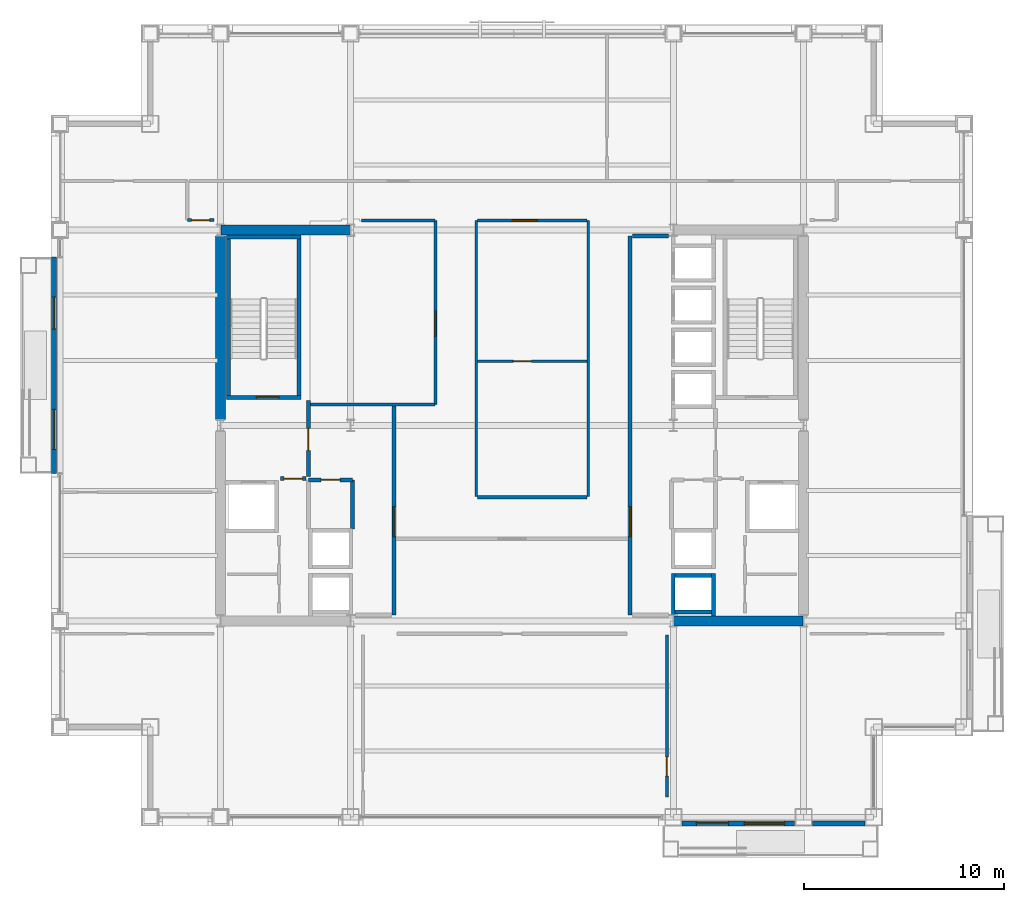
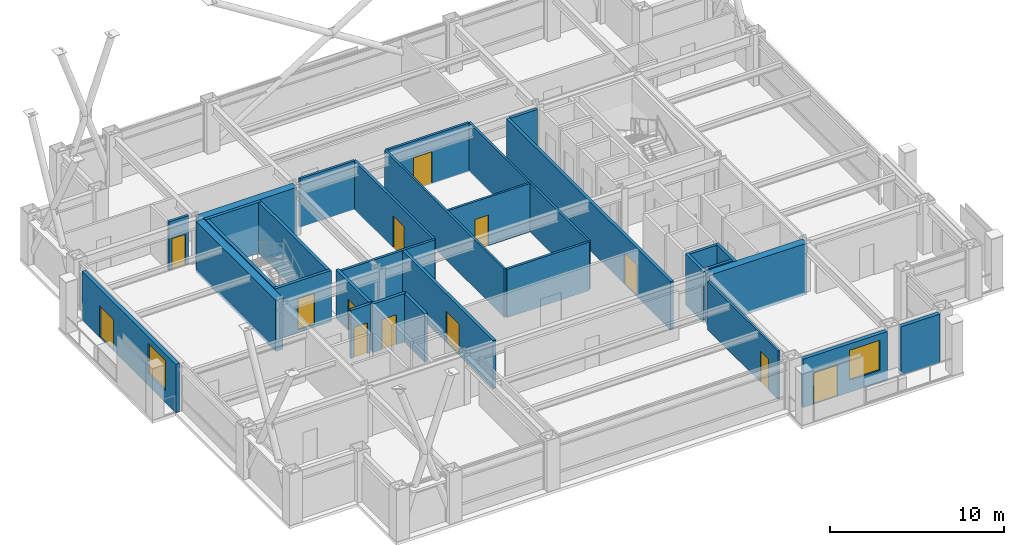
# One storey, part 29 of 34: 31 walls, 13 doors, 2 windows, 15 openings.
"""IFC4 building model written with IfcOpenShell, lengths in metres."""

from ifc_helpers import new_model, si_unit, direction, frame, frame_2d, origin, place, context, subcontext, project, spatial, rectangle, extrude, material, layer, layer_set, type_object, element, fill, save


model = new_model("IFC4")

# Units and contexts
model_context = context("Model", 3, precision=1e-05, world=origin(), true_north=direction((0.0, 1.0)))
body_context = subcontext(model_context, "Body", "Model", "MODEL_VIEW")
ifc_project = project(units=[si_unit("LENGTHUNIT", "METRE"), si_unit("AREAUNIT", "SQUARE_METRE"), si_unit("VOLUMEUNIT", "CUBIC_METRE"), si_unit("PLANEANGLEUNIT", "RADIAN"), si_unit("MASSUNIT", "GRAM", prefix="KILO")], contexts=[model_context])

# Site, building, storey
site_placement = place(None, origin())
site = spatial("IfcSite", under=ifc_project, at=site_placement, CompositionType="ELEMENT")
building_placement = place(site_placement, origin())
building = spatial("IfcBuilding", under=site, at=building_placement, Name="Brelmoor Portico Tower", CompositionType="ELEMENT")
storey_placement = place(building_placement, frame((0.0, 0.0, 99.0)))
storey = spatial("IfcBuildingStorey", under=building, at=storey_placement, Name="L25", CompositionType="ELEMENT", Elevation=99.0)

# Walls
ifc_material_1 = material(Name="Concrete C60", Category="concrete")
ifc_layer_1 = layer(ifc_material_1, 0.5)
ifc_layer_set_1 = layer_set([ifc_layer_1], Name="Concrete C60")
wall_type_1 = type_object("IfcWallType", Name="WL-CORE-500", PredefinedType="SHEAR", material=ifc_layer_set_1)
wall_1_placement = place(storey_placement, frame((-14.530029296875, 9.75, -0.199951171875), z_axis=(0.0, 0.0, 1.0), x_axis=(1.0, 0.0, 0.0)))
element("IfcWall", 1, at=wall_1_placement, inside=storey, type_object=wall_type_1, Name="L25 WC North Shear Wall", PredefinedType="SHEAR", context=body_context, shape_type="SweptSolid", body=[
    extrude(rectangle(XDim=6.4599609375, YDim=0.5, at=frame_2d((3.22998046875, 0.0))), origin(), (0.0, 0.0, 1.0), 3.599853515625),
])
wall_2_placement = place(storey_placement, frame((-14.550048828125, 0.300048828125, -0.199951171875), z_axis=(0.0, 0.0, 1.0), x_axis=(0.0, 1.0, 0.0)))
element("IfcWall", 2, at=wall_2_placement, inside=storey, type_object=wall_type_1, Name="L25 WC Outer North Shear Wall", PredefinedType="SHEAR", context=body_context, shape_type="SweptSolid", body=[
    extrude(rectangle(XDim=9.14990234375, YDim=0.5, at=frame_2d((4.574951171875, 0.0))), origin(), (0.0, 0.0, 1.0), 3.599853515625),
])
wall_3_placement = place(storey_placement, frame((8.070068359375, -9.75, -0.199951171875), z_axis=(0.0, 0.0, 1.0), x_axis=(1.0, 0.0, 0.0)))
element("IfcWall", 3, at=wall_3_placement, inside=storey, type_object=wall_type_1, Name="L25 EC South Shear Wall", PredefinedType="SHEAR", context=body_context, shape_type="SweptSolid", body=[
    extrude(rectangle(XDim=6.4599609375, YDim=0.5, at=frame_2d((3.22998046875, 0.0))), origin(), (0.0, 0.0, 1.0), 3.599853515625),
])

# Wall, openings, door, window
ifc_material_2 = material(Name="Precast Concrete C40 Insulated Facade Wall", Category="concrete")
ifc_layer_2 = layer(ifc_material_2, 0.25)
ifc_layer_set_2 = layer_set([ifc_layer_2], Name="Precast Concrete C40 Insulated Facade Wall")
wall_type_2 = type_object("IfcWallType", Name="WL-EXT-250", PredefinedType="STANDARD", material=ifc_layer_set_2)
wall_4_placement = place(storey_placement, frame((8.4951171875, -19.860107421875, 0.0), z_axis=(0.0, 0.0, 1.0), x_axis=(1.0, 0.0, 0.0)))
wall_4 = element("IfcWall", 4, at=wall_4_placement, inside=storey, type_object=wall_type_2, Name="L25 Loggia Threshold Wall S-1", PredefinedType="STANDARD", context=body_context, shape_type="SweptSolid", body=[
    extrude(rectangle(XDim=5.60986328125, YDim=0.25, at=frame_2d((2.804931640625, 0.0))), origin(), (0.0, 0.0, 1.0), 3.39990234375),
])
opening_1_placement = place(wall_4_placement, frame((0.705078125, 0.0, 0.0)))
opening_1 = element("IfcOpeningElement", 5, at=opening_1_placement, cuts=wall_4, Name="Opening D-TB1", PredefinedType="OPENING", context=body_context, shape_type="SweptSolid", body=[
    extrude(rectangle(XDim=1.60009765625, YDim=2.199951171875, at=frame_2d((0.800048828125, 1.10009765625))), frame((0.0, 0.135009765625, 0.0), z_axis=(0.0, -1.0, 0.0), x_axis=(1.0, 0.0, 0.0)), (0.0, 0.0, 1.0), 0.27001953125),
])
opening_2_placement = place(wall_4_placement, frame((3.10498046875, 0.0, 0.85009765625)))
opening_2 = element("IfcOpeningElement", 6, at=opening_2_placement, cuts=wall_4, Name="Opening W-03", PredefinedType="OPENING", context=body_context, shape_type="SweptSolid", body=[
    extrude(rectangle(XDim=2.0, YDim=2.10009765625, at=frame_2d((1.0, 1.050048828125))), frame((0.0, 0.135009765625, 0.0), z_axis=(0.0, -1.0, 0.0), x_axis=(1.0, 0.0, 0.0)), (0.0, 0.0, 1.0), 0.27001953125),
])
ifc_material_3 = material(Name="Double-Leaf Thermally Broken Terrace Door", Category="aluminium")
door_type_1 = type_object("IfcDoorType", Name="DR-BALCONY-1600", OperationType="NOTDEFINED", PredefinedType="DOOR", material=ifc_material_3)
door_1_placement = place(opening_1_placement, origin())
door_1 = element("IfcDoor", 7, at=door_1_placement, inside=storey, type_object=door_type_1, Name="D-1121 L25 Tree Balcony Double Door S", OperationType="DOUBLE_DOOR_SINGLE_SWING", OverallHeight=2.199951171875, OverallWidth=1.60009765625, PredefinedType="DOOR", context=body_context, shape_type="SweptSolid", body=[
    extrude(rectangle(XDim=1.60009765625, YDim=2.199951171875, at=frame_2d((0.800048828125, 1.10009765625))), frame((0.0, 0.02490234375, 0.0), z_axis=(0.0, -1.0, 0.0), x_axis=(1.0, 0.0, 0.0)), (0.0, 0.0, 1.0), 0.050048828125),
])
fill(opening_1, door_1)
ifc_material_4 = material(Name="Thermally Broken Aluminium Low-E Window", Category="aluminium")
window_type = type_object("IfcWindowType", Name="WN-LOGGIA-2000x2100", PartitioningType="SINGLE_PANEL", PredefinedType="WINDOW", material=ifc_material_4)
window_1_placement = place(opening_2_placement, origin())
window_1 = element("IfcWindow", 8, at=window_1_placement, inside=storey, type_object=window_type, Name="L25 Loggia Window S", OverallHeight=2.10009765625, OverallWidth=2.0, PartitioningType="SINGLE_PANEL", PredefinedType="WINDOW", context=body_context, shape_type="SweptSolid", body=[
    extrude(rectangle(XDim=2.0, YDim=2.10009765625, at=frame_2d((1.0, 1.050048828125))), frame((0.0, 0.030029296875, 0.0), z_axis=(0.0, -1.0, 0.0), x_axis=(1.0, 0.0, 0.0)), (0.0, 0.0, 1.0), 0.06005859375),
])
fill(opening_2, window_1)

# Wall
wall_5_placement = place(storey_placement, frame((14.9951171875, -19.860107421875, 0.0), z_axis=(0.0, 0.0, 1.0), x_axis=(1.0, 0.0, 0.0)))
element("IfcWall", 9, at=wall_5_placement, inside=storey, type_object=wall_type_2, Name="L25 Loggia Threshold Wall S-2", PredefinedType="STANDARD", context=body_context, shape_type="SweptSolid", body=[
    extrude(rectangle(XDim=2.60986328125, YDim=0.25, at=frame_2d((1.304931640625, 0.0))), origin(), (0.0, 0.0, 1.0), 3.39990234375),
])

# Wall, openings, door, window
wall_6_placement = place(storey_placement, frame((-22.860107421875, -2.39990234375, 0.0), z_axis=(0.0, 0.0, 1.0), x_axis=(0.0, 1.0, 0.0)))
wall_6 = element("IfcWall", 10, at=wall_6_placement, inside=storey, type_object=wall_type_2, Name="L25 Loggia Threshold Wall W-1", PredefinedType="STANDARD", context=body_context, shape_type="SweptSolid", body=[
    extrude(rectangle(XDim=10.7998046875, YDim=0.25, at=frame_2d((5.39990234375, 0.0))), origin(), (0.0, 0.0, 1.0), 3.39990234375),
])
opening_3_placement = place(wall_6_placement, frame((7.199951171875, 0.0, 0.0)))
opening_3 = element("IfcOpeningElement", 11, at=opening_3_placement, cuts=wall_6, Name="Opening D-TB1", PredefinedType="OPENING", context=body_context, shape_type="SweptSolid", body=[
    extrude(rectangle(XDim=1.60009765625, YDim=2.199951171875, at=frame_2d((0.800048828125, 1.10009765625))), frame((0.0, 0.135009765625, 0.0), z_axis=(0.0, -1.0, 0.0), x_axis=(1.0, 0.0, 0.0)), (0.0, 0.0, 1.0), 0.27001953125),
])
opening_4_placement = place(wall_6_placement, frame((1.199951171875, 0.0, 0.85009765625)))
opening_4 = element("IfcOpeningElement", 12, at=opening_4_placement, cuts=wall_6, Name="Opening W-03", PredefinedType="OPENING", context=body_context, shape_type="SweptSolid", body=[
    extrude(rectangle(XDim=2.0, YDim=2.10009765625, at=frame_2d((1.0, 1.050048828125))), frame((0.0, 0.135009765625, 0.0), z_axis=(0.0, -1.0, 0.0), x_axis=(1.0, 0.0, 0.0)), (0.0, 0.0, 1.0), 0.27001953125),
])
door_2_placement = place(opening_3_placement, origin())
door_2 = element("IfcDoor", 13, at=door_2_placement, inside=storey, type_object=door_type_1, Name="D-1122 L25 Tree Balcony Double Door W", OperationType="DOUBLE_DOOR_SINGLE_SWING", OverallHeight=2.199951171875, OverallWidth=1.60009765625, PredefinedType="DOOR", context=body_context, shape_type="SweptSolid", body=[
    extrude(rectangle(XDim=1.60009765625, YDim=2.199951171875, at=frame_2d((0.800048828125, 1.10009765625))), frame((0.0, 0.02490234375, 0.0), z_axis=(0.0, -1.0, 0.0), x_axis=(1.0, 0.0, 0.0)), (0.0, 0.0, 1.0), 0.050048828125),
])
fill(opening_3, door_2)
window_2_placement = place(opening_4_placement, origin())
window_2 = element("IfcWindow", 14, at=window_2_placement, inside=storey, type_object=window_type, Name="L25 Loggia Window W", OverallHeight=2.10009765625, OverallWidth=2.0, PartitioningType="SINGLE_PANEL", PredefinedType="WINDOW", context=body_context, shape_type="SweptSolid", body=[
    extrude(rectangle(XDim=2.0, YDim=2.10009765625, at=frame_2d((1.0, 1.050048828125))), frame((0.0, 0.030029296875, 0.0), z_axis=(0.0, -1.0, 0.0), x_axis=(1.0, 0.0, 0.0)), (0.0, 0.0, 1.0), 0.06005859375),
])
fill(opening_4, window_2)

# Walls
ifc_material_5 = material(Name="Insulated Stud Suite Partition", Category="gypsum")
ifc_layer_3 = layer(ifc_material_5, 0.139892578125)
ifc_layer_set_3 = layer_set([ifc_layer_3], Name="Insulated Stud Suite Partition")
wall_type_3 = type_object("IfcWallType", Name="WL-PART-140", PredefinedType="PARTITIONING", material=ifc_layer_set_3)
for number, where, z_axis, x_axis, name in (
    (15, (-1.780029296875, -3.550048828125, 0.0), (0.0, 0.0, 1.0), (0.0, 1.0, 0.0), "L25 Central Studio West Wall"),
    (16, (3.800048828125, -3.550048828125, 0.0), (0.0, 0.0, 1.0), (0.0, 1.0, 0.0), "L25 Central Studio East Wall"),
):
    element("IfcWall", number, at=place(storey_placement, frame(where, z_axis=z_axis, x_axis=x_axis)), inside=storey, type_object=wall_type_3, Name=name, PredefinedType="PARTITIONING", context=body_context, shape_type="SweptSolid", body=[
        extrude(rectangle(XDim=13.77001953125, YDim=0.139892578125, at=frame_2d((6.885009765625, 0.0))), origin(), (0.0, 0.0, 1.0), 3.39990234375),
    ])

# Wall, opening, door
wall_7_placement = place(storey_placement, frame((-1.72998046875, 3.199951171875, 0.0), z_axis=(0.0, 0.0, 1.0), x_axis=(1.0, 0.0, 0.0)))
wall_7 = element("IfcWall", 17, at=wall_7_placement, inside=storey, type_object=wall_type_3, Name="L25 Central Pantry Divider", PredefinedType="PARTITIONING", context=body_context, shape_type="SweptSolid", body=[
    extrude(rectangle(XDim=5.47998046875, YDim=0.139892578125, at=frame_2d((2.739990234375, 0.0))), origin(), (0.0, 0.0, 1.0), 3.39990234375),
])
opening_5_placement = place(wall_7_placement, frame((1.800048828125, 0.0, 0.0)))
opening_5 = element("IfcOpeningElement", 18, at=opening_5_placement, cuts=wall_7, Name="Opening D-IN1", PredefinedType="OPENING", context=body_context, shape_type="SweptSolid", body=[
    extrude(rectangle(XDim=0.89990234375, YDim=2.14990234375, at=frame_2d((0.449951171875, 1.074951171875))), frame((0.0, 0.079833984375, 0.0), z_axis=(0.0, -1.0, 0.0), x_axis=(1.0, 0.0, 0.0)), (0.0, 0.0, 1.0), 0.159912109375),
])
ifc_material_6 = material(Name="Lacquered Timber Suite Door", Category="wood")
door_type_2 = type_object("IfcDoorType", Name="DR-INT-900", OperationType="NOTDEFINED", PredefinedType="DOOR", material=ifc_material_6)
door_3_placement = place(opening_5_placement, origin())
door_3 = element("IfcDoor", 19, at=door_3_placement, inside=storey, type_object=door_type_2, Name="D-1093 L25 Central Pantry Connecting Door", OperationType="SINGLE_SWING_LEFT", OverallHeight=2.14990234375, OverallWidth=0.89990234375, PredefinedType="DOOR", context=body_context, shape_type="SweptSolid", body=[
    extrude(rectangle(XDim=0.89990234375, YDim=2.14990234375, at=frame_2d((0.449951171875, 1.074951171875))), frame((0.0, 0.02490234375, 0.0), z_axis=(0.0, -1.0, 0.0), x_axis=(1.0, 0.0, 0.0)), (0.0, 0.0, 1.0), 0.050048828125),
])
fill(opening_5, door_3)

wall_8_placement = place(storey_placement, frame((7.72998046875, -18.550048828125, 0.0), z_axis=(0.0, 0.0, 1.0), x_axis=(0.0, 1.0, 0.0)))
wall_8 = element("IfcWall", 20, at=wall_8_placement, inside=storey, type_object=wall_type_3, Name="L25 South Suite Partition 2", PredefinedType="PARTITIONING", context=body_context, shape_type="SweptSolid", body=[
    extrude(rectangle(XDim=8.090087890625, YDim=0.139892578125, at=frame_2d((4.044921875, 0.0))), origin(), (0.0, 0.0, 1.0), 3.39990234375),
])
opening_6_placement = place(wall_8_placement, frame((1.050048828125, 0.0, 0.0)))
opening_6 = element("IfcOpeningElement", 21, at=opening_6_placement, cuts=wall_8, Name="Opening D-IN2", PredefinedType="OPENING", context=body_context, shape_type="SweptSolid", body=[
    extrude(rectangle(XDim=0.9599609375, YDim=2.179931640625, at=frame_2d((0.47998046875, 1.08984375))), frame((0.0, 0.079833984375, 0.0), z_axis=(0.0, -1.0, 0.0), x_axis=(1.0, 0.0, 0.0)), (0.0, 0.0, 1.0), 0.159912109375),
])
door_type_3 = type_object("IfcDoorType", Name="DR-INT-950", OperationType="NOTDEFINED", PredefinedType="DOOR", material=ifc_material_6)
door_4_placement = place(opening_6_placement, origin())
door_4 = element("IfcDoor", 22, at=door_4_placement, inside=storey, type_object=door_type_3, Name="D-1115 L25 South Suite Connecting Door 2", OperationType="SINGLE_SWING_LEFT", OverallHeight=2.179931640625, OverallWidth=0.9599609375, PredefinedType="DOOR", context=body_context, shape_type="SweptSolid", body=[
    extrude(rectangle(XDim=0.9599609375, YDim=2.179931640625, at=frame_2d((0.47998046875, 1.08984375))), frame((0.0, 0.02490234375, 0.0), z_axis=(0.0, -1.0, 0.0), x_axis=(1.0, 0.0, 0.0)), (0.0, 0.0, 1.0), 0.050048828125),
])
fill(opening_6, door_4)

# Wall
ifc_material_7 = material(Name="Twin-Frame Acoustic Partition", Category="gypsum")
ifc_layer_4 = layer(ifc_material_7, 0.159912109375)
ifc_layer_set_4 = layer_set([ifc_layer_4], Name="Twin-Frame Acoustic Partition")
wall_type_4 = type_object("IfcWallType", Name="WL-PART-160", PredefinedType="PARTITIONING", material=ifc_layer_set_4)
wall_9_placement = place(storey_placement, frame((-10.050048828125, 1.050048828125, 0.0), z_axis=(0.0, 0.0, 1.0), x_axis=(1.0, 0.0, 0.0)))
element("IfcWall", 23, at=wall_9_placement, inside=storey, type_object=wall_type_4, Name="L25 Reclaimed West Suite South Wall", PredefinedType="PARTITIONING", context=body_context, shape_type="SweptSolid", body=[
    extrude(rectangle(XDim=6.2099609375, YDim=0.159912109375, at=frame_2d((3.10498046875, 0.0))), origin(), (0.0, 0.0, 1.0), 3.39990234375),
])

# Wall, opening, door
wall_10_placement = place(storey_placement, frame((-3.820068359375, 1.050048828125, 0.0), z_axis=(0.0, 0.0, 1.0), x_axis=(0.0, 1.0, 0.0)))
wall_10 = element("IfcWall", 24, at=wall_10_placement, inside=storey, type_object=wall_type_4, Name="L25 Reclaimed West Suite East Wall", PredefinedType="PARTITIONING", context=body_context, shape_type="SweptSolid", body=[
    extrude(rectangle(XDim=9.169921875, YDim=0.159912109375, at=frame_2d((4.5849609375, 0.0))), origin(), (0.0, 0.0, 1.0), 3.39990234375),
])
opening_7_placement = place(wall_10_placement, frame((3.39990234375, 0.0, 0.0)))
opening_7 = element("IfcOpeningElement", 25, at=opening_7_placement, cuts=wall_10, Name="Opening D-SU1", PredefinedType="OPENING", context=body_context, shape_type="SweptSolid", body=[
    extrude(rectangle(XDim=1.239990234375, YDim=2.239990234375, at=frame_2d((0.6201171875, 1.1201171875))), frame((0.0, 0.08984375, 0.0), z_axis=(0.0, -1.0, 0.0), x_axis=(1.0, 0.0, 0.0)), (0.0, 0.0, 1.0), 0.179931640625),
])
ifc_material_8 = material(Name="Glazed Timber Executive Suite Door", Category="wood")
door_type_4 = type_object("IfcDoorType", Name="DR-SUITE-1200", OperationType="NOTDEFINED", PredefinedType="DOOR", material=ifc_material_8)
door_5_placement = place(opening_7_placement, origin())
door_5 = element("IfcDoor", 26, at=door_5_placement, inside=storey, type_object=door_type_4, Name="D-1112 L25 West Reclaimed Collaboration Office Door", OperationType="SINGLE_SWING_RIGHT", OverallHeight=2.239990234375, OverallWidth=1.239990234375, PredefinedType="DOOR", context=body_context, shape_type="SweptSolid", body=[
    extrude(rectangle(XDim=1.239990234375, YDim=2.239990234375, at=frame_2d((0.6201171875, 1.1201171875))), frame((0.0, 0.02490234375, 0.0), z_axis=(0.0, -1.0, 0.0), x_axis=(1.0, 0.0, 0.0)), (0.0, 0.0, 1.0), 0.050048828125),
])
fill(opening_7, door_5)

# Walls
wall_11_placement = place(storey_placement, frame((-7.5, 10.219970703125, 0.0), z_axis=(0.0, 0.0, 1.0), x_axis=(1.0, 0.0, 0.0)))
element("IfcWall", 27, at=wall_11_placement, inside=storey, type_object=wall_type_4, Name="L25 Reclaimed West Suite North Wall", PredefinedType="PARTITIONING", context=body_context, shape_type="SweptSolid", body=[
    extrude(rectangle(XDim=3.659912109375, YDim=0.159912109375, at=frame_2d((1.830078125, 0.0))), origin(), (0.0, 0.0, 1.0), 3.39990234375),
])
wall_12_placement = place(storey_placement, frame((-1.72998046875, -3.580078125, 0.0), z_axis=(0.0, 0.0, 1.0), x_axis=(1.0, 0.0, 0.0)))
element("IfcWall", 28, at=wall_12_placement, inside=storey, type_object=wall_type_4, Name="L25 Central Studio South Wall", PredefinedType="PARTITIONING", context=body_context, shape_type="SweptSolid", body=[
    extrude(rectangle(XDim=5.47998046875, YDim=0.159912109375, at=frame_2d((2.739990234375, 0.0))), origin(), (0.0, 0.0, 1.0), 3.39990234375),
])

# Wall, opening, door
wall_13_placement = place(storey_placement, frame((-1.72998046875, 10.219970703125, 0.0), z_axis=(0.0, 0.0, 1.0), x_axis=(1.0, 0.0, 0.0)))
wall_13 = element("IfcWall", 29, at=wall_13_placement, inside=storey, type_object=wall_type_4, Name="L25 Central Meeting North Wall", PredefinedType="PARTITIONING", context=body_context, shape_type="SweptSolid", body=[
    extrude(rectangle(XDim=5.47998046875, YDim=0.159912109375, at=frame_2d((2.739990234375, 0.0))), origin(), (0.0, 0.0, 1.0), 3.39990234375),
])
opening_8_placement = place(wall_13_placement, frame((1.75, 0.0, 0.0)))
opening_8 = element("IfcOpeningElement", 30, at=opening_8_placement, cuts=wall_13, Name="Opening D-SU1", PredefinedType="OPENING", context=body_context, shape_type="SweptSolid", body=[
    extrude(rectangle(XDim=1.239990234375, YDim=2.239990234375, at=frame_2d((0.6201171875, 1.1201171875))), frame((0.0, 0.08984375, 0.0), z_axis=(0.0, -1.0, 0.0), x_axis=(1.0, 0.0, 0.0)), (0.0, 0.0, 1.0), 0.179931640625),
])
door_6_placement = place(opening_8_placement, origin())
door_6 = element("IfcDoor", 31, at=door_6_placement, inside=storey, type_object=door_type_4, Name="D-1094 L25 Client Meeting Room Door", OperationType="SINGLE_SWING_RIGHT", OverallHeight=2.239990234375, OverallWidth=1.239990234375, PredefinedType="DOOR", context=body_context, shape_type="SweptSolid", body=[
    extrude(rectangle(XDim=1.239990234375, YDim=2.239990234375, at=frame_2d((0.6201171875, 1.1201171875))), frame((0.0, 0.02490234375, 0.0), z_axis=(0.0, -1.0, 0.0), x_axis=(1.0, 0.0, 0.0)), (0.0, 0.0, 1.0), 0.050048828125),
])
fill(opening_8, door_6)

wall_14_placement = place(storey_placement, frame((-16.199951171875, 10.25, 0.0), z_axis=(0.0, 0.0, 1.0), x_axis=(1.0, 0.0, 0.0)))
wall_14 = element("IfcWall", 32, at=wall_14_placement, inside=storey, type_object=wall_type_4, Name="L25 W Wing North Entry Wall", PredefinedType="PARTITIONING", context=body_context, shape_type="SweptSolid", body=[
    extrude(rectangle(XDim=1.320068359375, YDim=0.159912109375, at=frame_2d((0.66015625, 0.0))), origin(), (0.0, 0.0, 1.0), 3.39990234375),
])
opening_9_placement = place(wall_14_placement, frame((0.2099609375, 0.0, 0.0)))
opening_9 = element("IfcOpeningElement", 33, at=opening_9_placement, cuts=wall_14, Name="Opening D-IN1", PredefinedType="OPENING", context=body_context, shape_type="SweptSolid", body=[
    extrude(rectangle(XDim=0.89990234375, YDim=2.14990234375, at=frame_2d((0.449951171875, 1.074951171875))), frame((0.0, 0.08984375, 0.0), z_axis=(0.0, -1.0, 0.0), x_axis=(1.0, 0.0, 0.0)), (0.0, 0.0, 1.0), 0.179931640625),
])
door_7_placement = place(opening_9_placement, origin())
door_7 = element("IfcDoor", 34, at=door_7_placement, inside=storey, type_object=door_type_2, Name="D-1124 L25 W Wing Entry Door", OperationType="SINGLE_SWING_LEFT", OverallHeight=2.14990234375, OverallWidth=0.89990234375, PredefinedType="DOOR", context=body_context, shape_type="SweptSolid", body=[
    extrude(rectangle(XDim=0.89990234375, YDim=2.14990234375, at=frame_2d((0.449951171875, 1.074951171875))), frame((0.0, 0.02490234375, 0.0), z_axis=(0.0, -1.0, 0.0), x_axis=(1.0, 0.0, 0.0)), (0.0, 0.0, 1.0), 0.050048828125),
])
fill(opening_9, door_7)

ifc_material_9 = material(Name="Double-Stud Gypsum Fire Partition", Category="gypsum")
ifc_layer_5 = layer(ifc_material_9, 0.199951171875)
ifc_layer_set_5 = layer_set([ifc_layer_5], Name="Double-Stud Gypsum Fire Partition")
wall_type_5 = type_object("IfcWallType", Name="WL-PART-200", PredefinedType="PARTITIONING", material=ifc_layer_set_5)
wall_15_placement = place(storey_placement, frame((-5.89990234375, -9.449951171875, 0.0), z_axis=(0.0, 0.0, 1.0), x_axis=(0.0, 1.0, 0.0)))
wall_15 = element("IfcWall", 35, at=wall_15_placement, inside=storey, type_object=wall_type_5, Name="L25 W Core Lobby Compartment Wall", PredefinedType="PARTITIONING", context=body_context, shape_type="SweptSolid", body=[
    extrude(rectangle(XDim=10.5, YDim=0.199951171875, at=frame_2d((5.25, 0.0))), origin(), (0.0, 0.0, 1.0), 3.39990234375),
])
opening_10_placement = place(wall_15_placement, frame((3.89990234375, 0.0, 0.0)))
opening_10 = element("IfcOpeningElement", 36, at=opening_10_placement, cuts=wall_15, Name="Opening D-LB1", PredefinedType="OPENING", context=body_context, shape_type="SweptSolid", body=[
    extrude(rectangle(XDim=1.5, YDim=2.199951171875, at=frame_2d((0.75, 1.10009765625))), frame((0.0, 0.10986328125, 0.0), z_axis=(0.0, -1.0, 0.0), x_axis=(1.0, 0.0, 0.0)), (0.0, 0.0, 1.0), 0.219970703125),
])
ifc_material_10 = material(Name="Double-Leaf Glazed Steel Fire Door", Category="steel")
door_type_5 = type_object("IfcDoorType", Name="DR-LOBBY-1500", OperationType="NOTDEFINED", PredefinedType="DOOR", material=ifc_material_10)
door_8_placement = place(opening_10_placement, origin())
door_8 = element("IfcDoor", 37, at=door_8_placement, inside=storey, type_object=door_type_5, Name="D-1106 L25 W Lift Lobby Main Door", OperationType="DOUBLE_DOOR_SINGLE_SWING", OverallHeight=2.199951171875, OverallWidth=1.5, PredefinedType="DOOR", context=body_context, shape_type="SweptSolid", body=[
    extrude(rectangle(XDim=1.5, YDim=2.199951171875, at=frame_2d((0.75, 1.10009765625))), frame((0.0, 0.02490234375, 0.0), z_axis=(0.0, -1.0, 0.0), x_axis=(1.0, 0.0, 0.0)), (0.0, 0.0, 1.0), 0.050048828125),
])
fill(opening_10, door_8)

wall_16_placement = place(storey_placement, frame((-10.159912109375, -2.550048828125, 0.0), z_axis=(0.0, 0.0, 1.0), x_axis=(0.0, 1.0, 0.0)))
wall_16 = element("IfcWall", 38, at=wall_16_placement, inside=storey, type_object=wall_type_5, Name="L25 W Firefighting Lobby Wall", PredefinedType="PARTITIONING", context=body_context, shape_type="SweptSolid", body=[
    extrude(rectangle(XDim=3.800048828125, YDim=0.199951171875, at=frame_2d((1.89990234375, 0.0))), origin(), (0.0, 0.0, 1.0), 3.39990234375),
])
opening_11_placement = place(wall_16_placement, frame((1.300048828125, 0.0, 0.0)))
opening_11 = element("IfcOpeningElement", 39, at=opening_11_placement, cuts=wall_16, Name="Opening D-FR1", PredefinedType="OPENING", context=body_context, shape_type="SweptSolid", body=[
    extrude(rectangle(XDim=1.10009765625, YDim=2.14990234375, at=frame_2d((0.550048828125, 1.074951171875))), frame((0.0, 0.10986328125, 0.0), z_axis=(0.0, -1.0, 0.0), x_axis=(1.0, 0.0, 0.0)), (0.0, 0.0, 1.0), 0.219970703125),
])
ifc_material_11 = material(Name="Painted Galvanised Steel Fire Door", Category="steel")
door_type_6 = type_object("IfcDoorType", Name="DR-FIRE-1100", OperationType="NOTDEFINED", PredefinedType="DOOR", material=ifc_material_11)
door_9_placement = place(opening_11_placement, origin())
door_9 = element("IfcDoor", 40, at=door_9_placement, inside=storey, type_object=door_type_6, Name="D-1104 L25 W Firefighting Lobby Door", OperationType="SINGLE_SWING_RIGHT", OverallHeight=2.14990234375, OverallWidth=1.10009765625, PredefinedType="DOOR", context=body_context, shape_type="SweptSolid", body=[
    extrude(rectangle(XDim=1.10009765625, YDim=2.14990234375, at=frame_2d((0.550048828125, 1.074951171875))), frame((0.0, 0.02490234375, 0.0), z_axis=(0.0, -1.0, 0.0), x_axis=(1.0, 0.0, 0.0)), (0.0, 0.0, 1.0), 0.050048828125),
])
fill(opening_11, door_9)

wall_17_placement = place(storey_placement, frame((-10.280029296875, -2.64990234375, 0.0), z_axis=(0.0, 0.0, 1.0), x_axis=(-1.0, 0.0, 0.0)))
wall_17 = element("IfcWall", 41, at=wall_17_placement, inside=storey, type_object=wall_type_5, Name="L25 W Firefighting Lobby South Wall", PredefinedType="PARTITIONING", context=body_context, shape_type="SweptSolid", body=[
    extrude(rectangle(XDim=1.27001953125, YDim=0.199951171875, at=frame_2d((0.635009765625, 0.0))), origin(), (0.0, 0.0, 1.0), 3.39990234375),
])
opening_12_placement = place(wall_17_placement, frame((0.18505859375, 0.0, 0.0)))
opening_12 = element("IfcOpeningElement", 42, at=opening_12_placement, cuts=wall_17, Name="Opening D-IN1", PredefinedType="OPENING", context=body_context, shape_type="SweptSolid", body=[
    extrude(rectangle(XDim=0.89990234375, YDim=2.14990234375, at=frame_2d((0.449951171875, 1.074951171875))), frame((0.0, 0.10986328125, 0.0), z_axis=(0.0, -1.0, 0.0), x_axis=(1.0, 0.0, 0.0)), (0.0, 0.0, 1.0), 0.219970703125),
])
door_10_placement = place(opening_12_placement, origin())
door_10 = element("IfcDoor", 43, at=door_10_placement, inside=storey, type_object=door_type_2, Name="D-1098 L25 W Core Service Vestibule Door", OperationType="SINGLE_SWING_LEFT", OverallHeight=2.14990234375, OverallWidth=0.89990234375, PredefinedType="DOOR", context=body_context, shape_type="SweptSolid", body=[
    extrude(rectangle(XDim=0.89990234375, YDim=2.14990234375, at=frame_2d((0.449951171875, 1.074951171875))), frame((0.0, 0.02490234375, 0.0), z_axis=(0.0, -1.0, 0.0), x_axis=(1.0, 0.0, 0.0)), (0.0, 0.0, 1.0), 0.050048828125),
])
fill(opening_12, door_10)

wall_18_placement = place(storey_placement, frame((-7.9599609375, -2.719970703125, 0.0), z_axis=(0.0, 0.0, 1.0), x_axis=(-1.0, 0.0, 0.0)))
wall_18 = element("IfcWall", 44, at=wall_18_placement, inside=storey, type_object=wall_type_5, Name="L25 W Electrical Switchgear Closet Wall", PredefinedType="PARTITIONING", context=body_context, shape_type="SweptSolid", body=[
    extrude(rectangle(XDim=2.199951171875, YDim=0.199951171875, at=frame_2d((1.10009765625, 0.0))), origin(), (0.0, 0.0, 1.0), 3.39990234375),
])
opening_13_placement = place(wall_18_placement, frame((0.6201171875, 0.0, 0.0)))
opening_13 = element("IfcOpeningElement", 45, at=opening_13_placement, cuts=wall_18, Name="Opening D-FR4", PredefinedType="OPENING", context=body_context, shape_type="SweptSolid", body=[
    extrude(rectangle(XDim=0.949951171875, YDim=2.10009765625, at=frame_2d((0.47509765625, 1.050048828125))), frame((0.0, 0.10986328125, 0.0), z_axis=(0.0, -1.0, 0.0), x_axis=(1.0, 0.0, 0.0)), (0.0, 0.0, 1.0), 0.219970703125),
])
ifc_material_12 = material(Name="Painted Galvanised Steel Riser Door", Category="steel")
door_type_7 = type_object("IfcDoorType", Name="DR-FIRE-950", OperationType="NOTDEFINED", PredefinedType="DOOR", material=ifc_material_12)
door_11_placement = place(opening_13_placement, origin())
door_11 = element("IfcDoor", 46, at=door_11_placement, inside=storey, type_object=door_type_7, Name="D-1102 L25 W Electrical Switchgear Closet Door", OperationType="SINGLE_SWING_RIGHT", OverallHeight=2.10009765625, OverallWidth=0.949951171875, PredefinedType="DOOR", context=body_context, shape_type="SweptSolid", body=[
    extrude(rectangle(XDim=0.949951171875, YDim=2.10009765625, at=frame_2d((0.47509765625, 1.050048828125))), frame((0.0, 0.02490234375, 0.0), z_axis=(0.0, -1.0, 0.0), x_axis=(1.0, 0.0, 0.0)), (0.0, 0.0, 1.0), 0.050048828125),
])
fill(opening_13, door_11)

# Wall
wall_19_placement = place(storey_placement, frame((-7.9599609375, -5.159912109375, 0.0), z_axis=(0.0, 0.0, 1.0), x_axis=(0.0, 1.0, 0.0)))
element("IfcWall", 47, at=wall_19_placement, inside=storey, type_object=wall_type_5, Name="L25 W Electrical Switchgear Closet Inner Wall", PredefinedType="PARTITIONING", context=body_context, shape_type="SweptSolid", body=[
    extrude(rectangle(XDim=2.43994140625, YDim=0.199951171875, at=frame_2d((1.219970703125, 0.0))), origin(), (0.0, 0.0, 1.0), 3.39990234375),
])

# Wall, opening, door
wall_20_placement = place(storey_placement, frame((5.89990234375, -9.449951171875, 0.0), z_axis=(0.0, 0.0, 1.0), x_axis=(0.0, 1.0, 0.0)))
wall_20 = element("IfcWall", 48, at=wall_20_placement, inside=storey, type_object=wall_type_5, Name="L25 E Core Lobby Compartment Wall", PredefinedType="PARTITIONING", context=body_context, shape_type="SweptSolid", body=[
    extrude(rectangle(XDim=18.89990234375, YDim=0.199951171875, at=frame_2d((9.449951171875, 0.0))), origin(), (0.0, 0.0, 1.0), 3.39990234375),
])
opening_14_placement = place(wall_20_placement, frame((3.89990234375, 0.0, 0.0)))
opening_14 = element("IfcOpeningElement", 49, at=opening_14_placement, cuts=wall_20, Name="Opening D-LB1", PredefinedType="OPENING", context=body_context, shape_type="SweptSolid", body=[
    extrude(rectangle(XDim=1.5, YDim=2.199951171875, at=frame_2d((0.75, 1.10009765625))), frame((0.0, 0.10986328125, 0.0), z_axis=(0.0, -1.0, 0.0), x_axis=(1.0, 0.0, 0.0)), (0.0, 0.0, 1.0), 0.219970703125),
])
door_12_placement = place(opening_14_placement, origin())
door_12 = element("IfcDoor", 50, at=door_12_placement, inside=storey, type_object=door_type_5, Name="D-1105 L25 E Lift Lobby Main Door", OperationType="DOUBLE_DOOR_SINGLE_SWING", OverallHeight=2.199951171875, OverallWidth=1.5, PredefinedType="DOOR", context=body_context, shape_type="SweptSolid", body=[
    extrude(rectangle(XDim=1.5, YDim=2.199951171875, at=frame_2d((0.75, 1.10009765625))), frame((0.0, 0.02490234375, 0.0), z_axis=(0.0, -1.0, 0.0), x_axis=(1.0, 0.0, 0.0)), (0.0, 0.0, 1.0), 0.050048828125),
])
fill(opening_14, door_12)

# Walls
wall_21_placement = place(storey_placement, frame((6.02001953125, 9.449951171875, 0.0), z_axis=(0.0, 0.0, 1.0), x_axis=(1.0, 0.0, 0.0)))
element("IfcWall", 51, at=wall_21_placement, inside=storey, type_object=wall_type_5, Name="L25 E Lift Lobby North End Wall", PredefinedType="PARTITIONING", context=body_context, shape_type="SweptSolid", body=[
    extrude(rectangle(XDim=1.800048828125, YDim=0.199951171875, at=frame_2d((0.89990234375, 0.0))), origin(), (0.0, 0.0, 1.0), 3.39990234375),
])
ifc_material_13 = material(Name="Precast Concrete C40", Category="concrete")
ifc_layer_6 = layer(ifc_material_13, 0.18994140625)
ifc_layer_set_6 = layer_set([ifc_layer_6], Name="Precast Concrete C40")
wall_type_6 = type_object("IfcWallType", Name="WL-SHAFT-180", PredefinedType="SOLIDWALL", material=ifc_layer_set_6)
for number, where, z_axis, x_axis, name in (
    (52, (8.044921875, -9.52001953125, -0.199951171875), (0.0, 0.0, 1.0), (0.0, 1.0, 0.0), "L25 Lift PH3 Hoistway Front Wall"),
    (53, (10.054931640625, -9.52001953125, -0.199951171875), (0.0, 0.0, 1.0), (0.0, 1.0, 0.0), "L25 Lift PH3 Hoistway Back Wall"),
):
    element("IfcWall", number, at=place(storey_placement, frame(where, z_axis=z_axis, x_axis=x_axis)), inside=storey, type_object=wall_type_6, Name=name, PredefinedType="SOLIDWALL", context=body_context, shape_type="SweptSolid", body=[
        extrude(rectangle(XDim=2.1201171875, YDim=0.18994140625, at=frame_2d((1.06005859375, 0.0))), origin(), (0.0, 0.0, 1.0), 3.599853515625),
    ])
for number, where, z_axis, x_axis, name in (
    (54, (7.949951171875, -7.4951171875, -0.199951171875), (0.0, 0.0, 1.0), (1.0, 0.0, 0.0), "L25 Lift PH3 Hoistway North Wall"),
    (55, (7.949951171875, -9.304931640625, -0.199951171875), (0.0, 0.0, 1.0), (1.0, 0.0, 0.0), "L25 Lift PH3 Hoistway South Wall"),
):
    element("IfcWall", number, at=place(storey_placement, frame(where, z_axis=z_axis, x_axis=x_axis)), inside=storey, type_object=wall_type_6, Name=name, PredefinedType="SOLIDWALL", context=body_context, shape_type="SweptSolid", body=[
        extrude(rectangle(XDim=2.199951171875, YDim=0.18994140625, at=frame_2d((1.10009765625, 0.0))), origin(), (0.0, 0.0, 1.0), 3.599853515625),
    ])
ifc_material_14 = material(Name="Concrete C40", Category="concrete")
ifc_layer_7 = layer(ifc_material_14, 0.199951171875)
ifc_layer_set_7 = layer_set([ifc_layer_7], Name="Concrete C40")
wall_type_7 = type_object("IfcWallType", Name="WL-SHAFT-RC200", PredefinedType="SOLIDWALL", material=ifc_layer_set_7)
wall_22_placement = place(storey_placement, frame((-14.14990234375, 1.5, -0.199951171875), z_axis=(0.0, 0.0, 1.0), x_axis=(0.0, 1.0, 0.0)))
element("IfcWall", 56, at=wall_22_placement, inside=storey, type_object=wall_type_7, Name="L25 ST-W Structural Stair Wall Outer", PredefinedType="SOLIDWALL", context=body_context, shape_type="SweptSolid", body=[
    extrude(rectangle(XDim=7.800048828125, YDim=0.199951171875, at=frame_2d((3.89990234375, 0.0))), origin(), (0.0, 0.0, 1.0), 3.599853515625),
])

# Wall, opening, door
wall_23_placement = place(storey_placement, frame((-14.25, 1.39990234375, -0.199951171875), z_axis=(0.0, 0.0, 1.0), x_axis=(1.0, 0.0, 0.0)))
wall_23 = element("IfcWall", 57, at=wall_23_placement, inside=storey, type_object=wall_type_7, Name="L25 ST-W Structural Stair Wall S", PredefinedType="SOLIDWALL", context=body_context, shape_type="SweptSolid", body=[
    extrude(rectangle(XDim=3.719970703125, YDim=0.199951171875, at=frame_2d((1.85986328125, 0.0))), origin(), (0.0, 0.0, 1.0), 3.599853515625),
])
opening_15_placement = place(wall_23_placement, frame((1.5, 0.0, 0.199951171875)))
opening_15 = element("IfcOpeningElement", 58, at=opening_15_placement, cuts=wall_23, Name="Opening D-ST1", PredefinedType="OPENING", context=body_context, shape_type="SweptSolid", body=[
    extrude(rectangle(XDim=1.1201171875, YDim=2.179931640625, at=frame_2d((0.56005859375, 1.08984375))), frame((0.0, 0.10986328125, 0.0), z_axis=(0.0, -1.0, 0.0), x_axis=(1.0, 0.0, 0.0)), (0.0, 0.0, 1.0), 0.219970703125),
])
door_type_8 = type_object("IfcDoorType", Name="DR-STAIR-1100", OperationType="NOTDEFINED", PredefinedType="DOOR", material=ifc_material_11)
door_13_placement = place(opening_15_placement, origin())
door_13 = element("IfcDoor", 59, at=door_13_placement, inside=storey, type_object=door_type_8, Name="D-1117 L25 ST-W Protected Exit Stair Door", OperationType="SINGLE_SWING_LEFT", OverallHeight=2.179931640625, OverallWidth=1.1201171875, PredefinedType="DOOR", context=body_context, shape_type="SweptSolid", body=[
    extrude(rectangle(XDim=1.1201171875, YDim=2.179931640625, at=frame_2d((0.56005859375, 1.08984375))), frame((0.0, 0.02490234375, 0.0), z_axis=(0.0, -1.0, 0.0), x_axis=(1.0, 0.0, 0.0)), (0.0, 0.0, 1.0), 0.050048828125),
])
fill(opening_15, door_13)

# Walls
wall_24_placement = place(storey_placement, frame((-14.25, 9.39990234375, -0.199951171875), z_axis=(0.0, 0.0, 1.0), x_axis=(1.0, 0.0, 0.0)))
element("IfcWall", 60, at=wall_24_placement, inside=storey, type_object=wall_type_7, Name="L25 ST-W Structural Stair Wall N", PredefinedType="SOLIDWALL", context=body_context, shape_type="SweptSolid", body=[
    extrude(rectangle(XDim=3.719970703125, YDim=0.199951171875, at=frame_2d((1.85986328125, 0.0))), origin(), (0.0, 0.0, 1.0), 3.599853515625),
])
wall_25_placement = place(storey_placement, frame((-10.6298828125, 1.5, -0.199951171875), z_axis=(0.0, 0.0, 1.0), x_axis=(0.0, 1.0, 0.0)))
element("IfcWall", 61, at=wall_25_placement, inside=storey, type_object=wall_type_7, Name="L25 ST-W Structural Stair Wall Inner", PredefinedType="SOLIDWALL", context=body_context, shape_type="SweptSolid", body=[
    extrude(rectangle(XDim=7.800048828125, YDim=0.199951171875, at=frame_2d((3.89990234375, 0.0))), origin(), (0.0, 0.0, 1.0), 3.599853515625),
])

save(model, "model.ifc")
